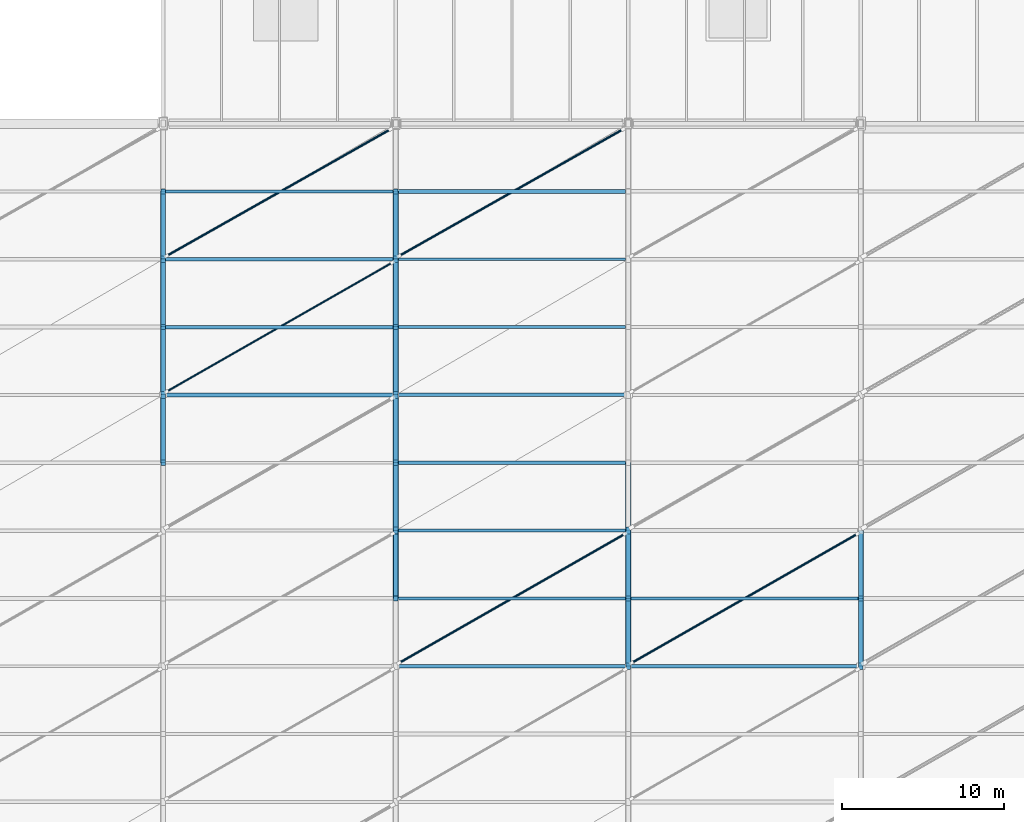
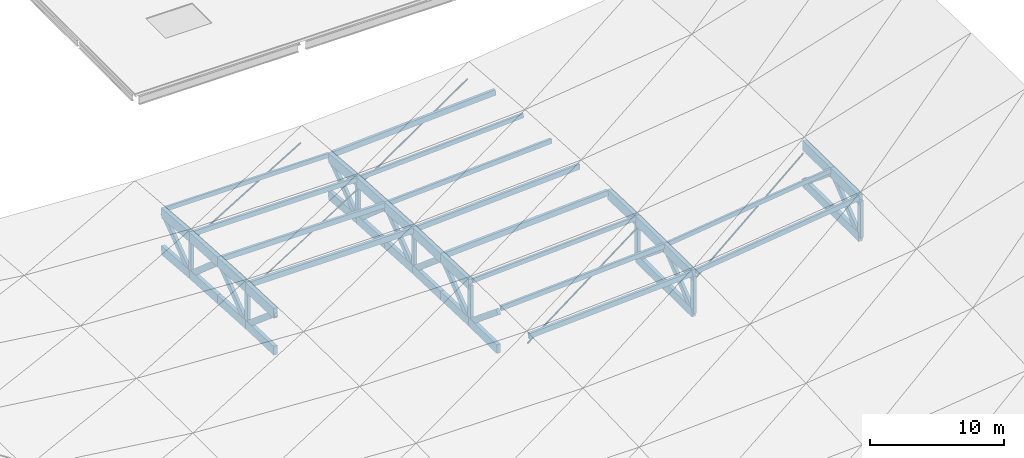
# One storey, part 8 of 22: 41 members, 28 beams.
"""IFC4 building model written with IfcOpenShell, lengths in metres."""

from ifc_helpers import new_model, si_unit, direction, frame, origin, origin_2d, place, context, subcontext, project, spatial, rectangle, hollow_circle, extrude, material, material_profile, profile_set, type_object, element, save


model = new_model("IFC4")

# Units and contexts
model_context = context("Model", 3, precision=1e-05, world=origin(), true_north=direction((0.0, 1.0)))
body_context = subcontext(model_context, "Body", "Model", "MODEL_VIEW")
ifc_project = project(units=[si_unit("LENGTHUNIT", "METRE"), si_unit("AREAUNIT", "SQUARE_METRE"), si_unit("VOLUMEUNIT", "CUBIC_METRE"), si_unit("PLANEANGLEUNIT", "RADIAN"), si_unit("MASSUNIT", "GRAM", prefix="KILO"), si_unit("THERMODYNAMICTEMPERATUREUNIT", "KELVIN")], contexts=[model_context])

# Site, building, storey
site_placement = place(None, origin())
site = spatial("IfcSite", under=ifc_project, at=site_placement, CompositionType="ELEMENT")
building_placement = place(site_placement, origin())
building = spatial("IfcBuilding", under=site, at=building_placement, Name="Nduvali Passage Aquatics Centre", CompositionType="ELEMENT")
storey_placement = place(building_placement, frame((0.0, 0.0, 21.60009765625)))
storey = spatial("IfcBuildingStorey", under=building, at=storey_placement, Name="RF", CompositionType="ELEMENT", Elevation=21.60009765625)

# Beams
ifc_material_1 = material(Name="Glulam GL32c", Category="wood")
ifc_material_profile_1 = material_profile(ifc_material_1, rectangle(XDim=0.320068359375, YDim=0.800048828125, at=origin_2d()), Name="GL32c 320x800")
ifc_profile_set_1 = profile_set([ifc_material_profile_1], Name="Glulam GL32c")
beam_type_1 = type_object("IfcBeamType", Name="STR-BM-GL32-BOT", PredefinedType="BEAM", material=ifc_profile_set_1)
beam_1_placement = place(storey_placement, frame((68.39990234375, 71.39990234375, -10.599609375), z_axis=(0.0, 0.999363742023, -0.035666666915), x_axis=(-1.0, 0.0, 0.0)))
element("IfcBeam", 1, at=beam_1_placement, inside=storey, type_object=beam_type_1, Name="RF Pool Hall Roof Truss Bottom Chord R4 BC1-1797", PredefinedType="BEAM", context=body_context, shape_type="SweptSolid", body=[
    extrude(rectangle(XDim=0.320068359375, YDim=0.800048828125, at=origin_2d()), origin(), (0.0, 0.0, 1.0), 4.202880859375),
])
for number, where, z_axis, x_axis, name in (
    (2, (68.39990234375, 75.60009765625, -10.74951171875), (0.0, 0.998233110761, -0.059419328339), (-1.0, 0.0, 0.0), "RF Pool Hall Roof Truss Bottom Chord R4 BC1-1799"),
    (3, (68.39990234375, 79.800048828125, -10.99951171875), (0.0, 0.998233110761, -0.059419328339), (-1.0, 0.0, 0.0), "RF Pool Hall Roof Truss Bottom Chord R4 BC1-1801"),
):
    element("IfcBeam", number, at=place(storey_placement, frame(where, z_axis=z_axis, x_axis=x_axis)), inside=storey, type_object=beam_type_1, Name=name, PredefinedType="BEAM", context=body_context, shape_type="SweptSolid", body=[
        extrude(rectangle(XDim=0.320068359375, YDim=0.800048828125, at=origin_2d()), origin(), (0.0, 0.0, 1.0), 4.207275390625),
    ])
beam_2_placement = place(storey_placement, frame((68.39990234375, 84.0, -11.24951171875), z_axis=(0.0, 0.996543760423, -0.083069450238), x_axis=(-1.0, 0.0, 0.0)))
element("IfcBeam", 4, at=beam_2_placement, inside=storey, type_object=beam_type_1, Name="RF Pool Hall Roof Truss Bottom Chord R4 BC1-1803", PredefinedType="BEAM", context=body_context, shape_type="SweptSolid", body=[
    extrude(rectangle(XDim=0.320068359375, YDim=0.800048828125, at=origin_2d()), origin(), (0.0, 0.0, 1.0), 4.214599609375),
])
beam_3_placement = place(storey_placement, frame((82.800048828125, 63.0, -10.399658203125), z_axis=(0.0, 0.999929005763, -0.011915680183), x_axis=(-1.0, 0.0, 0.0)))
element("IfcBeam", 5, at=beam_3_placement, inside=storey, type_object=beam_type_1, Name="RF Pool Hall Roof Truss Bottom Chord R5 BC1-1825", PredefinedType="BEAM", context=body_context, shape_type="SweptSolid", body=[
    extrude(rectangle(XDim=0.320068359375, YDim=0.800048828125, at=origin_2d()), origin(), (0.0, 0.0, 1.0), 4.2001953125),
])
beam_4_placement = place(storey_placement, frame((82.800048828125, 67.199951171875, -10.44970703125), z_axis=(0.0, 0.999363668121, -0.035668737559), x_axis=(-1.0, 0.0, 0.0)))
element("IfcBeam", 6, at=beam_4_placement, inside=storey, type_object=beam_type_1, Name="RF Pool Hall Roof Truss Bottom Chord R5 BC1-1827", PredefinedType="BEAM", context=body_context, shape_type="SweptSolid", body=[
    extrude(rectangle(XDim=0.320068359375, YDim=0.800048828125, at=origin_2d()), origin(), (0.0, 0.0, 1.0), 4.20263671875),
])
beam_5_placement = place(storey_placement, frame((82.800048828125, 71.39990234375, -10.599609375), z_axis=(0.0, 0.999363742023, -0.035666666915), x_axis=(-1.0, 0.0, 0.0)))
element("IfcBeam", 7, at=beam_5_placement, inside=storey, type_object=beam_type_1, Name="RF Pool Hall Roof Truss Bottom Chord R5 BC1-1829", PredefinedType="BEAM", context=body_context, shape_type="SweptSolid", body=[
    extrude(rectangle(XDim=0.320068359375, YDim=0.800048828125, at=origin_2d()), origin(), (0.0, 0.0, 1.0), 4.202880859375),
])
for number, where, z_axis, x_axis, name in (
    (8, (82.800048828125, 75.60009765625, -10.74951171875), (0.0, 0.998233110761, -0.059419328339), (-1.0, 0.0, 0.0), "RF Pool Hall Roof Truss Bottom Chord R5 BC1-1831"),
    (9, (82.800048828125, 79.800048828125, -10.99951171875), (0.0, 0.998233110761, -0.059419328339), (-1.0, 0.0, 0.0), "RF Pool Hall Roof Truss Bottom Chord R5 BC1-1833"),
):
    element("IfcBeam", number, at=place(storey_placement, frame(where, z_axis=z_axis, x_axis=x_axis)), inside=storey, type_object=beam_type_1, Name=name, PredefinedType="BEAM", context=body_context, shape_type="SweptSolid", body=[
        extrude(rectangle(XDim=0.320068359375, YDim=0.800048828125, at=origin_2d()), origin(), (0.0, 0.0, 1.0), 4.207275390625),
    ])
beam_6_placement = place(storey_placement, frame((82.800048828125, 84.0, -11.24951171875), z_axis=(0.0, 0.996543760423, -0.083069450238), x_axis=(-1.0, 0.0, 0.0)))
element("IfcBeam", 10, at=beam_6_placement, inside=storey, type_object=beam_type_1, Name="RF Pool Hall Roof Truss Bottom Chord R5 BC1-1835", PredefinedType="BEAM", context=body_context, shape_type="SweptSolid", body=[
    extrude(rectangle(XDim=0.320068359375, YDim=0.800048828125, at=origin_2d()), origin(), (0.0, 0.0, 1.0), 4.214599609375),
])
for number, where, z_axis, x_axis, name in (
    (11, (97.199951171875, 58.800048828125, -9.55859375), (0.0, 0.999929696627, -0.011857563106), (-1.0, 0.0, 0.0), "RF Pool Hall Roof Truss Bottom Chord R6 BC1-1855"),
    (12, (97.199951171875, 63.0, -9.6083984375), (0.0, 0.999929005763, -0.011915680183), (-1.0, 0.0, 0.0), "RF Pool Hall Roof Truss Bottom Chord R6 BC1-1857"),
    (13, (111.60009765625, 58.800048828125, -7.722900390625), (0.0, 0.999929696627, -0.011857563106), (-1.0, 0.0, 0.0), "RF Pool Hall Roof Truss Bottom Chord R7 BC1-1887"),
    (14, (111.60009765625, 63.0, -7.772705078125), (0.0, 0.999929005763, -0.011915680183), (-1.0, 0.0, 0.0), "RF Pool Hall Roof Truss Bottom Chord R7 BC1-1889"),
):
    element("IfcBeam", number, at=place(storey_placement, frame(where, z_axis=z_axis, x_axis=x_axis)), inside=storey, type_object=beam_type_1, Name=name, PredefinedType="BEAM", context=body_context, shape_type="SweptSolid", body=[
        extrude(rectangle(XDim=0.320068359375, YDim=0.800048828125, at=origin_2d()), origin(), (0.0, 0.0, 1.0), 4.2001953125),
    ])
ifc_material_profile_2 = material_profile(ifc_material_1, rectangle(XDim=0.320068359375, YDim=0.89990234375, at=origin_2d()), Name="GL32c 320x900")
ifc_profile_set_2 = profile_set([ifc_material_profile_2], Name="Glulam GL32c")
beam_type_2 = type_object("IfcBeamType", Name="STR-BM-GL32-TOP", PredefinedType="BEAM", material=ifc_profile_set_2)
beam_7_placement = place(storey_placement, frame((68.39990234375, 71.39990234375, -7.19970703125), z_axis=(0.0, 0.999363742023, -0.035666666915), x_axis=(-1.0, 0.0, 0.0)))
element("IfcBeam", 15, at=beam_7_placement, inside=storey, type_object=beam_type_2, Name="RF Pool Hall Roof Truss Top Chord R4 TC1-1796", PredefinedType="BEAM", context=body_context, shape_type="SweptSolid", body=[
    extrude(rectangle(XDim=0.320068359375, YDim=0.89990234375, at=origin_2d()), origin(), (0.0, 0.0, 1.0), 4.202880859375),
])
for number, where, z_axis, x_axis, name in (
    (16, (68.39990234375, 75.60009765625, -7.349609375), (0.0, 0.998233110761, -0.059419328339), (-1.0, 0.0, 0.0), "RF Pool Hall Roof Truss Top Chord R4 TC1-1798"),
    (17, (68.39990234375, 79.800048828125, -7.599609375), (0.0, 0.998233110761, -0.059419328339), (-1.0, 0.0, 0.0), "RF Pool Hall Roof Truss Top Chord R4 TC1-1800"),
):
    element("IfcBeam", number, at=place(storey_placement, frame(where, z_axis=z_axis, x_axis=x_axis)), inside=storey, type_object=beam_type_2, Name=name, PredefinedType="BEAM", context=body_context, shape_type="SweptSolid", body=[
        extrude(rectangle(XDim=0.320068359375, YDim=0.89990234375, at=origin_2d()), origin(), (0.0, 0.0, 1.0), 4.207275390625),
    ])
beam_8_placement = place(storey_placement, frame((68.39990234375, 84.0, -7.849609375), z_axis=(0.0, 0.996543760423, -0.083069450238), x_axis=(-1.0, 0.0, 0.0)))
element("IfcBeam", 18, at=beam_8_placement, inside=storey, type_object=beam_type_2, Name="RF Pool Hall Roof Truss Top Chord R4 TC1-1802", PredefinedType="BEAM", context=body_context, shape_type="SweptSolid", body=[
    extrude(rectangle(XDim=0.320068359375, YDim=0.89990234375, at=origin_2d()), origin(), (0.0, 0.0, 1.0), 4.214599609375),
])
beam_9_placement = place(storey_placement, frame((82.800048828125, 67.199951171875, -7.049560546875), z_axis=(0.0, 0.999361595677, -0.035726755876), x_axis=(-1.0, 0.0, 0.0)))
element("IfcBeam", 19, at=beam_9_placement, inside=storey, type_object=beam_type_2, Name="RF Pool Hall Roof Truss Top Chord R5 TC1-1826", PredefinedType="BEAM", context=body_context, shape_type="SweptSolid", body=[
    extrude(rectangle(XDim=0.320068359375, YDim=0.89990234375, at=origin_2d()), origin(), (0.0, 0.0, 1.0), 4.20263671875),
])
beam_10_placement = place(storey_placement, frame((82.800048828125, 71.39990234375, -7.19970703125), z_axis=(0.0, 0.999363742023, -0.035666666915), x_axis=(-1.0, 0.0, 0.0)))
element("IfcBeam", 20, at=beam_10_placement, inside=storey, type_object=beam_type_2, Name="RF Pool Hall Roof Truss Top Chord R5 TC1-1828", PredefinedType="BEAM", context=body_context, shape_type="SweptSolid", body=[
    extrude(rectangle(XDim=0.320068359375, YDim=0.89990234375, at=origin_2d()), origin(), (0.0, 0.0, 1.0), 4.202880859375),
])
for number, where, z_axis, x_axis, name in (
    (21, (82.800048828125, 75.60009765625, -7.349609375), (0.0, 0.998233110761, -0.059419328339), (-1.0, 0.0, 0.0), "RF Pool Hall Roof Truss Top Chord R5 TC1-1830"),
    (22, (82.800048828125, 79.800048828125, -7.599609375), (0.0, 0.998233110761, -0.059419328339), (-1.0, 0.0, 0.0), "RF Pool Hall Roof Truss Top Chord R5 TC1-1832"),
):
    element("IfcBeam", number, at=place(storey_placement, frame(where, z_axis=z_axis, x_axis=x_axis)), inside=storey, type_object=beam_type_2, Name=name, PredefinedType="BEAM", context=body_context, shape_type="SweptSolid", body=[
        extrude(rectangle(XDim=0.320068359375, YDim=0.89990234375, at=origin_2d()), origin(), (0.0, 0.0, 1.0), 4.207275390625),
    ])
beam_11_placement = place(storey_placement, frame((82.800048828125, 84.0, -7.849609375), z_axis=(0.0, 0.996543760423, -0.083069450238), x_axis=(-1.0, 0.0, 0.0)))
element("IfcBeam", 23, at=beam_11_placement, inside=storey, type_object=beam_type_2, Name="RF Pool Hall Roof Truss Top Chord R5 TC1-1834", PredefinedType="BEAM", context=body_context, shape_type="SweptSolid", body=[
    extrude(rectangle(XDim=0.320068359375, YDim=0.89990234375, at=origin_2d()), origin(), (0.0, 0.0, 1.0), 4.214599609375),
])
for number, where, z_axis, x_axis, name in (
    (24, (97.199951171875, 58.800048828125, -6.158447265625), (0.0, 0.999929005763, -0.011915680183), (-1.0, 0.0, 0.0), "RF Pool Hall Roof Truss Top Chord R6 TC1-1854"),
    (25, (97.199951171875, 63.0, -6.20849609375), (0.0, 0.999929005763, -0.011915680183), (-1.0, 0.0, 0.0), "RF Pool Hall Roof Truss Top Chord R6 TC1-1856"),
):
    element("IfcBeam", number, at=place(storey_placement, frame(where, z_axis=z_axis, x_axis=x_axis)), inside=storey, type_object=beam_type_2, Name=name, PredefinedType="BEAM", context=body_context, shape_type="SweptSolid", body=[
        extrude(rectangle(XDim=0.320068359375, YDim=0.89990234375, at=origin_2d()), origin(), (0.0, 0.0, 1.0), 4.2001953125),
    ])
beam_12_placement = place(storey_placement, frame((97.199951171875, 67.199951171875, -6.258544921875), z_axis=(0.0, 0.999363668121, -0.035668737559), x_axis=(-1.0, 0.0, 0.0)))
element("IfcBeam", 26, at=beam_12_placement, inside=storey, type_object=beam_type_2, Name="RF Pool Hall Roof Truss Top Chord R6 TC1-1858", PredefinedType="BEAM", context=body_context, shape_type="SweptSolid", body=[
    extrude(rectangle(XDim=0.320068359375, YDim=0.89990234375, at=origin_2d()), origin(), (0.0, 0.0, 1.0), 4.20263671875),
])
for number, where, z_axis, x_axis, name in (
    (27, (111.60009765625, 58.800048828125, -4.32275390625), (0.0, 0.999929005763, -0.011915680183), (-1.0, 0.0, 0.0), "RF Pool Hall Roof Truss Top Chord R7 TC1-1886"),
    (28, (111.60009765625, 63.0, -4.372802734375), (0.0, 0.999929005763, -0.011915680183), (-1.0, 0.0, 0.0), "RF Pool Hall Roof Truss Top Chord R7 TC1-1888"),
):
    element("IfcBeam", number, at=place(storey_placement, frame(where, z_axis=z_axis, x_axis=x_axis)), inside=storey, type_object=beam_type_2, Name=name, PredefinedType="BEAM", context=body_context, shape_type="SweptSolid", body=[
        extrude(rectangle(XDim=0.320068359375, YDim=0.89990234375, at=origin_2d()), origin(), (0.0, 0.0, 1.0), 4.2001953125),
    ])

# Members
ifc_material_2 = material(Name="Steel S355", Category="steel")
ifc_material_profile_3 = material_profile(ifc_material_2, hollow_circle(Radius=0.05712890625, WallThickness=0.00634765625, at=origin_2d()), Name="CHS 114.3x6.3")
ifc_profile_set_3 = profile_set([ifc_material_profile_3], Name="Steel S355")
member_type_1 = type_object("IfcMemberType", Name="STR-MEM-CHS114", PredefinedType="BRACE", material=ifc_profile_set_3)
member_1_placement = place(storey_placement, frame((68.60009765625, 75.800048828125, -7.927490234375), z_axis=(0.867826018323, 0.495900581899, -0.030993786369), x_axis=(-0.496138938357, 0.868243142124, 0.0)))
element("IfcMember", 29, at=member_1_placement, inside=storey, type_object=member_type_1, Name="Pool Hall Roof Wind Brace B4-P7A", PredefinedType="BRACE", context=body_context, shape_type="SweptSolid", body=[
    extrude(hollow_circle(Radius=0.05712890625, WallThickness=0.00634765625, at=origin_2d()), origin(), (0.0, 0.0, 1.0), 16.13232421875),
])
ifc_material_profile_4 = material_profile(ifc_material_2, hollow_circle(Radius=0.06982421875, WallThickness=0.00634765625, at=origin_2d()), Name="CHS 139.7x6.3")
ifc_profile_set_4 = profile_set([ifc_material_profile_4], Name="Steel S355")
member_type_2 = type_object("IfcMemberType", Name="STR-MEM-CHS139", PredefinedType="BRACE", material=ifc_profile_set_4)
member_2_placement = place(storey_placement, frame((68.60009765625, 84.199951171875, -8.427490234375), z_axis=(0.869591990426, 0.491818420815, -0.043868110683), x_axis=(-0.492292335352, 0.870429926274, 0.0)))
element("IfcMember", 30, at=member_2_placement, inside=storey, type_object=member_type_2, Name="Pool Hall Roof Wind Brace B4-P8A", PredefinedType="BRACE", context=body_context, shape_type="SweptSolid", body=[
    extrude(hollow_circle(Radius=0.06982421875, WallThickness=0.00634765625, at=origin_2d()), origin(), (0.0, 0.0, 1.0), 15.96142578125),
])
member_3_placement = place(storey_placement, frame((83.0, 59.0, -7.527587890625), z_axis=(0.867446616213, 0.495683780693, 0.042824730931), x_axis=(-0.496138938357, 0.868243142124, 0.0)))
element("IfcMember", 31, at=member_3_placement, inside=storey, type_object=member_type_2, Name="Pool Hall Roof Wind Brace B5-P5A", PredefinedType="BRACE", context=body_context, shape_type="SweptSolid", body=[
    extrude(hollow_circle(Radius=0.06982421875, WallThickness=0.00634765625, at=origin_2d()), origin(), (0.0, 0.0, 1.0), 16.139404296875),
])
member_4_placement = place(storey_placement, frame((83.0, 84.199951171875, -8.427490234375), z_axis=(0.870415732856, 0.492284307927, 0.005710706191), x_axis=(-0.492292335352, 0.870429926274, 0.0)))
element("IfcMember", 32, at=member_4_placement, inside=storey, type_object=member_type_2, Name="Pool Hall Roof Wind Brace B5-P8A", PredefinedType="BRACE", context=body_context, shape_type="SweptSolid", body=[
    extrude(hollow_circle(Radius=0.06982421875, WallThickness=0.00634765625, at=origin_2d()), origin(), (0.0, 0.0, 1.0), 15.9462890625),
])
member_5_placement = place(storey_placement, frame((97.39990234375, 59.0, -6.736572265625), z_axis=(0.863255417726, 0.493288810129, 0.107033796387), x_axis=(-0.496138938357, 0.868243142124, 0.0)))
element("IfcMember", 33, at=member_5_placement, inside=storey, type_object=member_type_2, Name="Pool Hall Roof Wind Brace B6-P5A", PredefinedType="BRACE", context=body_context, shape_type="SweptSolid", body=[
    extrude(hollow_circle(Radius=0.06982421875, WallThickness=0.00634765625, at=origin_2d()), origin(), (0.0, 0.0, 1.0), 16.2177734375),
])
ifc_material_3 = material(Name="Glulam GL28h", Category="wood")
ifc_material_profile_5 = material_profile(ifc_material_3, rectangle(XDim=0.260009765625, YDim=0.52001953125, at=origin_2d()), Name="GL28h 260x520")
ifc_profile_set_5 = profile_set([ifc_material_profile_5], Name="Glulam GL28h")
member_type_3 = type_object("IfcMemberType", Name="STR-MEM-GL-DIAG", PredefinedType="CHORD", material=ifc_profile_set_5)
member_6_placement = place(storey_placement, frame((68.39990234375, 71.39990234375, -7.19970703125), z_axis=(0.0, 0.763763355563, -0.645496349098), x_axis=(-1.0, 0.0, 0.0)))
element("IfcMember", 34, at=member_6_placement, inside=storey, type_object=member_type_3, Name="Pool Hall Roof Truss Web Diagonal R4-12", PredefinedType="CHORD", context=body_context, shape_type="SweptSolid", body=[
    extrude(rectangle(XDim=0.260009765625, YDim=0.52001953125, at=origin_2d()), origin(), (0.0, 0.0, 1.0), 5.499267578125),
])
member_7_placement = place(storey_placement, frame((68.39990234375, 75.60009765625, -10.74951171875), z_axis=(0.0, 0.800005580426, 0.599992559359), x_axis=(-1.0, 0.0, 0.0)))
element("IfcMember", 35, at=member_7_placement, inside=storey, type_object=member_type_3, Name="Pool Hall Roof Truss Web Diagonal R4-13", PredefinedType="CHORD", context=body_context, shape_type="SweptSolid", body=[
    extrude(rectangle(XDim=0.260009765625, YDim=0.52001953125, at=origin_2d()), origin(), (0.0, 0.0, 1.0), 5.25),
])
member_8_placement = place(storey_placement, frame((68.39990234375, 79.800048828125, -7.599609375), z_axis=(0.0, 0.754803851974, -0.655950566007), x_axis=(-1.0, 0.0, 0.0)))
element("IfcMember", 36, at=member_8_placement, inside=storey, type_object=member_type_3, Name="Pool Hall Roof Truss Web Diagonal R4-14", PredefinedType="CHORD", context=body_context, shape_type="SweptSolid", body=[
    extrude(rectangle(XDim=0.260009765625, YDim=0.52001953125, at=origin_2d()), origin(), (0.0, 0.0, 1.0), 5.564208984375),
])
member_9_placement = place(storey_placement, frame((68.39990234375, 84.0, -11.24951171875), z_axis=(0.0, 0.809167076276, 0.5875786268), x_axis=(-1.0, 0.0, 0.0)))
element("IfcMember", 37, at=member_9_placement, inside=storey, type_object=member_type_3, Name="Pool Hall Roof Truss Web Diagonal R4-15", PredefinedType="CHORD", context=body_context, shape_type="SweptSolid", body=[
    extrude(rectangle(XDim=0.260009765625, YDim=0.52001953125, at=origin_2d()), origin(), (0.0, 0.0, 1.0), 5.1904296875),
])
member_10_placement = place(storey_placement, frame((82.800048828125, 63.0, -6.99951171875), z_axis=(0.0, 0.772705010087, -0.634765285273), x_axis=(-1.0, 0.0, 0.0)))
element("IfcMember", 38, at=member_10_placement, inside=storey, type_object=member_type_3, Name="Pool Hall Roof Truss Web Diagonal R5-10", PredefinedType="CHORD", context=body_context, shape_type="SweptSolid", body=[
    extrude(rectangle(XDim=0.260009765625, YDim=0.52001953125, at=origin_2d()), origin(), (0.0, 0.0, 1.0), 5.435302734375),
])
member_11_placement = place(storey_placement, frame((82.800048828125, 67.199951171875, -10.44970703125), z_axis=(0.0, 0.790867256885, 0.611987730259), x_axis=(-1.0, 0.0, 0.0)))
element("IfcMember", 39, at=member_11_placement, inside=storey, type_object=member_type_3, Name="Pool Hall Roof Truss Web Diagonal R5-11", PredefinedType="CHORD", context=body_context, shape_type="SweptSolid", body=[
    extrude(rectangle(XDim=0.260009765625, YDim=0.52001953125, at=origin_2d()), origin(), (0.0, 0.0, 1.0), 5.310546875),
])
member_12_placement = place(storey_placement, frame((82.800048828125, 71.39990234375, -7.19970703125), z_axis=(0.0, 0.763763355563, -0.645496349098), x_axis=(-1.0, 0.0, 0.0)))
element("IfcMember", 40, at=member_12_placement, inside=storey, type_object=member_type_3, Name="Pool Hall Roof Truss Web Diagonal R5-12", PredefinedType="CHORD", context=body_context, shape_type="SweptSolid", body=[
    extrude(rectangle(XDim=0.260009765625, YDim=0.52001953125, at=origin_2d()), origin(), (0.0, 0.0, 1.0), 5.499267578125),
])
member_13_placement = place(storey_placement, frame((82.800048828125, 75.60009765625, -10.74951171875), z_axis=(0.0, 0.800005580426, 0.599992559359), x_axis=(-1.0, 0.0, 0.0)))
element("IfcMember", 41, at=member_13_placement, inside=storey, type_object=member_type_3, Name="Pool Hall Roof Truss Web Diagonal R5-13", PredefinedType="CHORD", context=body_context, shape_type="SweptSolid", body=[
    extrude(rectangle(XDim=0.260009765625, YDim=0.52001953125, at=origin_2d()), origin(), (0.0, 0.0, 1.0), 5.25),
])
member_14_placement = place(storey_placement, frame((82.800048828125, 79.800048828125, -7.599609375), z_axis=(0.0, 0.754803851974, -0.655950566007), x_axis=(-1.0, 0.0, 0.0)))
element("IfcMember", 42, at=member_14_placement, inside=storey, type_object=member_type_3, Name="Pool Hall Roof Truss Web Diagonal R5-14", PredefinedType="CHORD", context=body_context, shape_type="SweptSolid", body=[
    extrude(rectangle(XDim=0.260009765625, YDim=0.52001953125, at=origin_2d()), origin(), (0.0, 0.0, 1.0), 5.564208984375),
])
member_15_placement = place(storey_placement, frame((82.800048828125, 84.0, -11.24951171875), z_axis=(0.0, 0.809167076276, 0.5875786268), x_axis=(-1.0, 0.0, 0.0)))
element("IfcMember", 43, at=member_15_placement, inside=storey, type_object=member_type_3, Name="Pool Hall Roof Truss Web Diagonal R5-15", PredefinedType="CHORD", context=body_context, shape_type="SweptSolid", body=[
    extrude(rectangle(XDim=0.260009765625, YDim=0.52001953125, at=origin_2d()), origin(), (0.0, 0.0, 1.0), 5.1904296875),
])
member_16_placement = place(storey_placement, frame((97.199951171875, 58.800048828125, -9.55859375), z_axis=(0.0, 0.781763575378, 0.623574945145), x_axis=(-1.0, 0.0, 0.0)))
element("IfcMember", 44, at=member_16_placement, inside=storey, type_object=member_type_3, Name="Pool Hall Roof Truss Web Diagonal R6-9", PredefinedType="CHORD", context=body_context, shape_type="SweptSolid", body=[
    extrude(rectangle(XDim=0.260009765625, YDim=0.52001953125, at=origin_2d()), origin(), (0.0, 0.0, 1.0), 5.372314453125),
])
member_17_placement = place(storey_placement, frame((97.199951171875, 63.0, -6.20849609375), z_axis=(0.0, 0.772727041362, -0.63473846547), x_axis=(-1.0, 0.0, 0.0)))
element("IfcMember", 45, at=member_17_placement, inside=storey, type_object=member_type_3, Name="Pool Hall Roof Truss Web Diagonal R6-10", PredefinedType="CHORD", context=body_context, shape_type="SweptSolid", body=[
    extrude(rectangle(XDim=0.260009765625, YDim=0.52001953125, at=origin_2d()), origin(), (0.0, 0.0, 1.0), 5.435302734375),
])
member_18_placement = place(storey_placement, frame((111.60009765625, 58.800048828125, -7.722900390625), z_axis=(0.0, 0.781763575378, 0.623574945145), x_axis=(-1.0, 0.0, 0.0)))
element("IfcMember", 46, at=member_18_placement, inside=storey, type_object=member_type_3, Name="Pool Hall Roof Truss Web Diagonal R7-9", PredefinedType="CHORD", context=body_context, shape_type="SweptSolid", body=[
    extrude(rectangle(XDim=0.260009765625, YDim=0.52001953125, at=origin_2d()), origin(), (0.0, 0.0, 1.0), 5.372314453125),
])
member_19_placement = place(storey_placement, frame((111.60009765625, 63.0, -4.372802734375), z_axis=(0.0, 0.772727041362, -0.63473846547), x_axis=(-1.0, 0.0, 0.0)))
element("IfcMember", 47, at=member_19_placement, inside=storey, type_object=member_type_3, Name="Pool Hall Roof Truss Web Diagonal R7-10", PredefinedType="CHORD", context=body_context, shape_type="SweptSolid", body=[
    extrude(rectangle(XDim=0.260009765625, YDim=0.52001953125, at=origin_2d()), origin(), (0.0, 0.0, 1.0), 5.435302734375),
])
ifc_material_profile_6 = material_profile(ifc_material_3, rectangle(XDim=0.179931640625, YDim=0.39990234375, at=origin_2d()), Name="GL28h 180x400")
ifc_profile_set_6 = profile_set([ifc_material_profile_6], Name="Glulam GL28h")
member_type_4 = type_object("IfcMemberType", Name="STR-MEM-GL-PUR1", PredefinedType="PURLIN", material=ifc_profile_set_6)
member_20_placement = place(storey_placement, frame((68.56005859375, 88.199951171875, -7.942626953125), z_axis=(1.0, 0.0, 0.0), x_axis=(0.0, 1.0, 0.0)))
element("IfcMember", 48, at=member_20_placement, inside=storey, type_object=member_type_4, Name="Pool Hall Saddle Roof Purlin B4-15", PredefinedType="PURLIN", context=body_context, shape_type="SweptSolid", body=[
    extrude(rectangle(XDim=0.179931640625, YDim=0.39990234375, at=origin_2d()), origin(), (0.0, 0.0, 1.0), 14.079833984375),
])
for number, where, z_axis, x_axis, name in (
    (49, (82.9599609375, 67.199951171875, -6.78369140625), (0.998494679989, 0.0, 0.054848646591), (0.0, 1.0, 0.0), "Pool Hall Saddle Roof Purlin B5-10"),
    (50, (82.9599609375, 84.0, -7.583740234375), (0.998494679989, 0.0, 0.054848646591), (0.0, 1.0, 0.0), "Pool Hall Saddle Roof Purlin B5-14"),
):
    element("IfcMember", number, at=place(storey_placement, frame(where, z_axis=z_axis, x_axis=x_axis)), inside=storey, type_object=member_type_4, Name=name, PredefinedType="PURLIN", context=body_context, shape_type="SweptSolid", body=[
        extrude(rectangle(XDim=0.179931640625, YDim=0.39990234375, at=origin_2d()), origin(), (0.0, 0.0, 1.0), 14.101318359375),
    ])
member_21_placement = place(storey_placement, frame((97.360107421875, 63.0, -5.93115234375), z_axis=(0.991971922076, 0.0, 0.126458316504), x_axis=(0.0, 1.0, 0.0)))
element("IfcMember", 51, at=member_21_placement, inside=storey, type_object=member_type_4, Name="Pool Hall Saddle Roof Purlin B6-9", PredefinedType="PURLIN", context=body_context, shape_type="SweptSolid", body=[
    extrude(rectangle(XDim=0.179931640625, YDim=0.39990234375, at=origin_2d()), origin(), (0.0, 0.0, 1.0), 14.19384765625),
])
ifc_material_profile_7 = material_profile(ifc_material_3, rectangle(XDim=0.219970703125, YDim=0.47998046875, at=origin_2d()), Name="GL28h 220x480")
ifc_profile_set_7 = profile_set([ifc_material_profile_7], Name="Glulam GL28h")
member_type_5 = type_object("IfcMemberType", Name="STR-MEM-GL-PUR3", PredefinedType="PURLIN", material=ifc_profile_set_7)
member_22_placement = place(storey_placement, frame((68.56005859375, 79.800048828125, -7.382568359375), z_axis=(1.0, 0.0, 0.0), x_axis=(0.0, 1.0, 0.0)))
element("IfcMember", 52, at=member_22_placement, inside=storey, type_object=member_type_5, Name="Pool Hall Saddle Roof Purlin B4-13", PredefinedType="PURLIN", context=body_context, shape_type="SweptSolid", body=[
    extrude(rectangle(XDim=0.219970703125, YDim=0.47998046875, at=origin_2d()), origin(), (0.0, 0.0, 1.0), 14.079833984375),
])
for number, where, z_axis, x_axis, name in (
    (53, (82.9599609375, 58.800048828125, -6.723876953125), (0.998493731658, 0.0, 0.054865907817), (0.0, 1.0, 0.0), "Pool Hall Saddle Roof Purlin B5-8"),
    (54, (82.9599609375, 75.60009765625, -7.123779296875), (0.998494679989, 0.0, 0.054848646591), (0.0, 1.0, 0.0), "Pool Hall Saddle Roof Purlin B5-12"),
):
    element("IfcMember", number, at=place(storey_placement, frame(where, z_axis=z_axis, x_axis=x_axis)), inside=storey, type_object=member_type_5, Name=name, PredefinedType="PURLIN", context=body_context, shape_type="SweptSolid", body=[
        extrude(rectangle(XDim=0.219970703125, YDim=0.47998046875, at=origin_2d()), origin(), (0.0, 0.0, 1.0), 14.101318359375),
    ])
ifc_material_profile_8 = material_profile(ifc_material_3, rectangle(XDim=0.199951171875, YDim=0.43994140625, at=origin_2d()), Name="GL28h 200x440")
ifc_profile_set_8 = profile_set([ifc_material_profile_8], Name="Glulam GL28h")
member_type_6 = type_object("IfcMemberType", Name="STR-MEM-GL-PUR4", PredefinedType="PURLIN", material=ifc_profile_set_8)
member_23_placement = place(storey_placement, frame((68.56005859375, 84.0, -7.612548828125), z_axis=(1.0, 0.0, 0.0), x_axis=(0.0, 1.0, 0.0)))
element("IfcMember", 55, at=member_23_placement, inside=storey, type_object=member_type_6, Name="Pool Hall Saddle Roof Purlin B4-14", PredefinedType="PURLIN", context=body_context, shape_type="SweptSolid", body=[
    extrude(rectangle(XDim=0.199951171875, YDim=0.43994140625, at=origin_2d()), origin(), (0.0, 0.0, 1.0), 14.079833984375),
])
for number, where, z_axis, x_axis, name in (
    (56, (82.9599609375, 63.0, -6.75390625), (0.998493731658, 0.0, 0.054865907817), (0.0, 1.0, 0.0), "Pool Hall Saddle Roof Purlin B5-9"),
    (57, (82.9599609375, 79.800048828125, -7.353759765625), (0.998494679989, 0.0, 0.054848646591), (0.0, 1.0, 0.0), "Pool Hall Saddle Roof Purlin B5-13"),
):
    element("IfcMember", number, at=place(storey_placement, frame(where, z_axis=z_axis, x_axis=x_axis)), inside=storey, type_object=member_type_6, Name=name, PredefinedType="PURLIN", context=body_context, shape_type="SweptSolid", body=[
        extrude(rectangle(XDim=0.199951171875, YDim=0.43994140625, at=origin_2d()), origin(), (0.0, 0.0, 1.0), 14.101318359375),
    ])
member_24_placement = place(storey_placement, frame((97.360107421875, 58.800048828125, -5.901123046875), z_axis=(0.991971922076, 0.0, 0.126458316504), x_axis=(0.0, 1.0, 0.0)))
element("IfcMember", 58, at=member_24_placement, inside=storey, type_object=member_type_6, Name="Pool Hall Saddle Roof Purlin B6-8", PredefinedType="PURLIN", context=body_context, shape_type="SweptSolid", body=[
    extrude(rectangle(XDim=0.199951171875, YDim=0.43994140625, at=origin_2d()), origin(), (0.0, 0.0, 1.0), 14.19384765625),
])
ifc_material_profile_9 = material_profile(ifc_material_3, rectangle(XDim=0.239990234375, YDim=0.52001953125, at=origin_2d()), Name="GL28h 240x520")
ifc_profile_set_9 = profile_set([ifc_material_profile_9], Name="Glulam GL28h")
member_type_7 = type_object("IfcMemberType", Name="STR-MEM-GL-PUR5", PredefinedType="PURLIN", material=ifc_profile_set_9)
member_25_placement = place(storey_placement, frame((68.56005859375, 75.60009765625, -7.152587890625), z_axis=(1.0, 0.0, 0.0), x_axis=(0.0, 1.0, 0.0)))
element("IfcMember", 59, at=member_25_placement, inside=storey, type_object=member_type_7, Name="Pool Hall Saddle Roof Purlin B4-12", PredefinedType="PURLIN", context=body_context, shape_type="SweptSolid", body=[
    extrude(rectangle(XDim=0.239990234375, YDim=0.52001953125, at=origin_2d()), origin(), (0.0, 0.0, 1.0), 14.079833984375),
])
for number, where, z_axis, x_axis, name in (
    (60, (82.9599609375, 71.39990234375, -6.993896484375), (0.998493731658, 0.0, 0.054865907817), (0.0, 1.0, 0.0), "Pool Hall Saddle Roof Purlin B5-11"),
    (61, (82.9599609375, 88.199951171875, -7.993896484375), (0.998493731658, 0.0, 0.054865907817), (0.0, 1.0, 0.0), "Pool Hall Saddle Roof Purlin B5-15"),
):
    element("IfcMember", number, at=place(storey_placement, frame(where, z_axis=z_axis, x_axis=x_axis)), inside=storey, type_object=member_type_7, Name=name, PredefinedType="PURLIN", context=body_context, shape_type="SweptSolid", body=[
        extrude(rectangle(XDim=0.239990234375, YDim=0.52001953125, at=origin_2d()), origin(), (0.0, 0.0, 1.0), 14.101318359375),
    ])
ifc_material_profile_10 = material_profile(ifc_material_3, rectangle(XDim=0.260009765625, YDim=0.419921875, at=origin_2d()), Name="GL28h 260x420")
ifc_profile_set_10 = profile_set([ifc_material_profile_10], Name="Glulam GL28h")
member_type_8 = type_object("IfcMemberType", Name="STR-MEM-GL-VERT", PredefinedType="STRUT", material=ifc_profile_set_10)
for number, where, z_axis, x_axis, name in (
    (62, (68.39990234375, 75.60009765625, -10.74951171875), (0.0, 0.0, 1.0), (1.0, 0.0, 0.0), "Pool Hall Roof Truss Vertical Strut R4-7"),
    (63, (68.39990234375, 84.0, -11.24951171875), (0.0, 0.0, 1.0), (1.0, 0.0, 0.0), "Pool Hall Roof Truss Vertical Strut R4-8"),
):
    element("IfcMember", number, at=place(storey_placement, frame(where, z_axis=z_axis, x_axis=x_axis)), inside=storey, type_object=member_type_8, Name=name, PredefinedType="STRUT", context=body_context, shape_type="SweptSolid", body=[
        extrude(rectangle(XDim=0.260009765625, YDim=0.419921875, at=origin_2d()), origin(), (0.0, 0.0, 1.0), 3.39990234375),
    ])
member_26_placement = place(storey_placement, frame((82.800048828125, 67.199951171875, -10.44970703125), z_axis=(0.0, 0.0, 1.0), x_axis=(1.0, 0.0, 0.0)))
element("IfcMember", 64, at=member_26_placement, inside=storey, type_object=member_type_8, Name="Pool Hall Roof Truss Vertical Strut R5-6", PredefinedType="STRUT", context=body_context, shape_type="SweptSolid", body=[
    extrude(rectangle(XDim=0.260009765625, YDim=0.419921875, at=origin_2d()), origin(), (0.0, 0.0, 1.0), 3.400146484375),
])
for number, where, z_axis, x_axis, name in (
    (65, (82.800048828125, 75.60009765625, -10.74951171875), (0.0, 0.0, 1.0), (1.0, 0.0, 0.0), "Pool Hall Roof Truss Vertical Strut R5-7"),
    (66, (82.800048828125, 84.0, -11.24951171875), (0.0, 0.0, 1.0), (1.0, 0.0, 0.0), "Pool Hall Roof Truss Vertical Strut R5-8"),
):
    element("IfcMember", number, at=place(storey_placement, frame(where, z_axis=z_axis, x_axis=x_axis)), inside=storey, type_object=member_type_8, Name=name, PredefinedType="STRUT", context=body_context, shape_type="SweptSolid", body=[
        extrude(rectangle(XDim=0.260009765625, YDim=0.419921875, at=origin_2d()), origin(), (0.0, 0.0, 1.0), 3.39990234375),
    ])
member_27_placement = place(storey_placement, frame((97.199951171875, 58.800048828125, -9.55859375), z_axis=(0.0, 0.0, 1.0), x_axis=(1.0, 0.0, 0.0)))
element("IfcMember", 67, at=member_27_placement, inside=storey, type_object=member_type_8, Name="Pool Hall Roof Truss Vertical Strut R6-5", PredefinedType="STRUT", context=body_context, shape_type="SweptSolid", body=[
    extrude(rectangle(XDim=0.260009765625, YDim=0.419921875, at=origin_2d()), origin(), (0.0, 0.0, 1.0), 3.400146484375),
])
member_28_placement = place(storey_placement, frame((97.199951171875, 67.199951171875, -9.658447265625), z_axis=(0.0, 0.0, 1.0), x_axis=(1.0, 0.0, 0.0)))
element("IfcMember", 68, at=member_28_placement, inside=storey, type_object=member_type_8, Name="Pool Hall Roof Truss Vertical Strut R6-6", PredefinedType="STRUT", context=body_context, shape_type="SweptSolid", body=[
    extrude(rectangle(XDim=0.260009765625, YDim=0.419921875, at=origin_2d()), origin(), (0.0, 0.0, 1.0), 3.39990234375),
])
member_29_placement = place(storey_placement, frame((111.60009765625, 58.800048828125, -7.722900390625), z_axis=(0.0, 0.0, 1.0), x_axis=(1.0, 0.0, 0.0)))
element("IfcMember", 69, at=member_29_placement, inside=storey, type_object=member_type_8, Name="Pool Hall Roof Truss Vertical Strut R7-5", PredefinedType="STRUT", context=body_context, shape_type="SweptSolid", body=[
    extrude(rectangle(XDim=0.260009765625, YDim=0.419921875, at=origin_2d()), origin(), (0.0, 0.0, 1.0), 3.400146484375),
])

save(model, "model.ifc")
